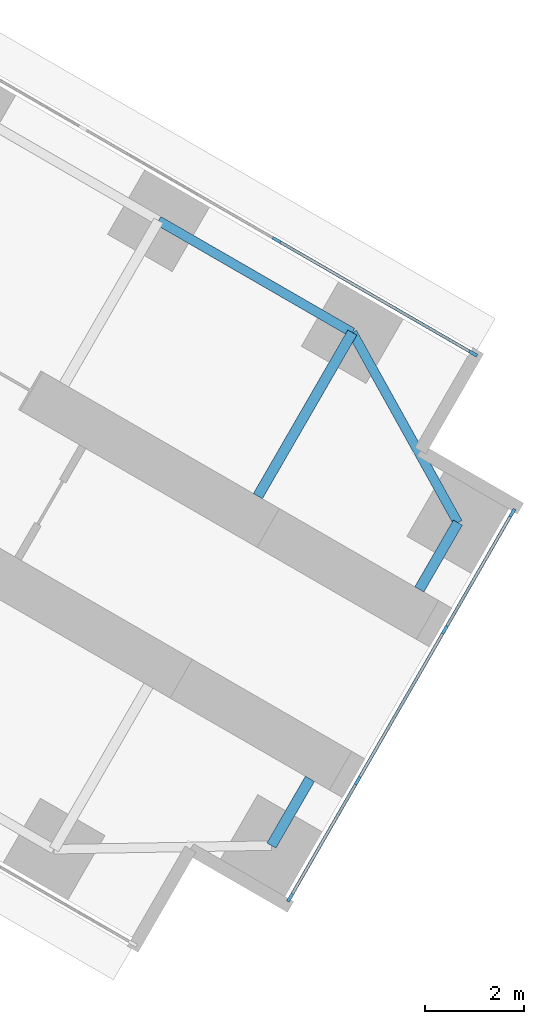
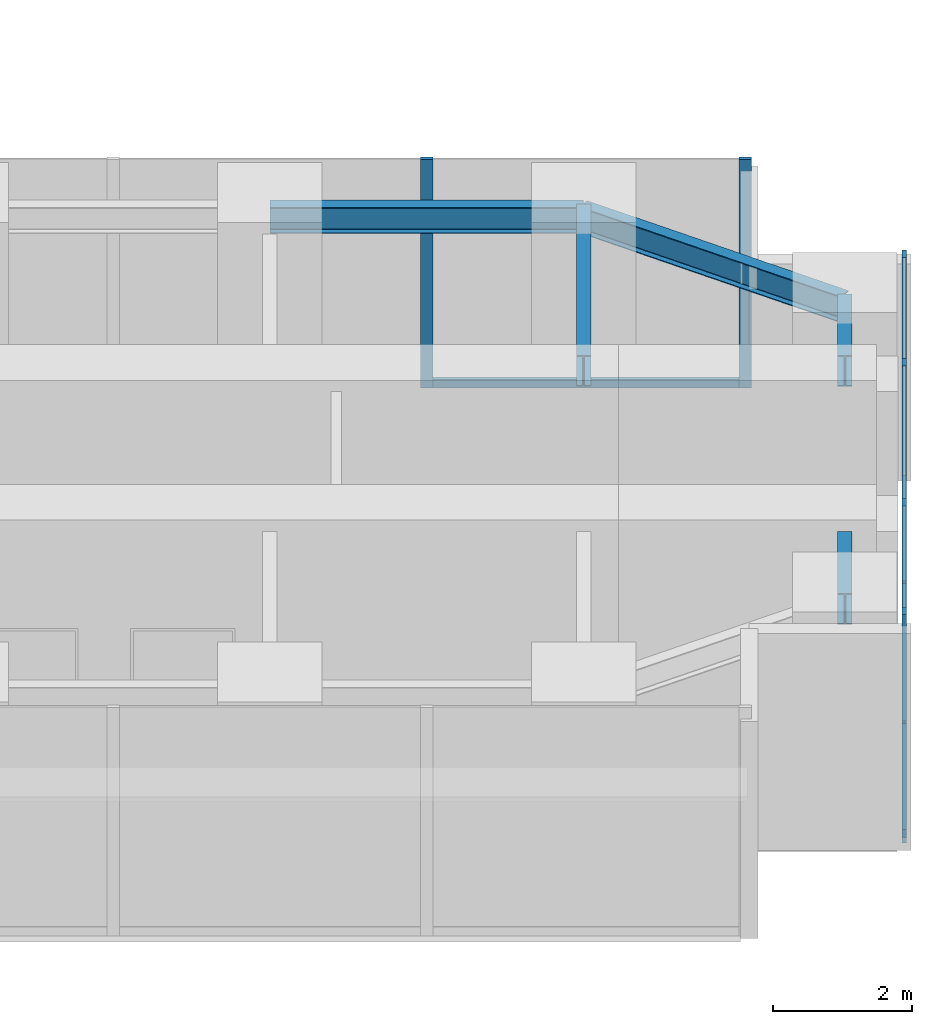
# One storey, part 12 of 23: 10 members, 5 beams, 2 elements without a shape of their own.
"""IFC4 building model written with IfcOpenShell, lengths in metres."""

from ifc_helpers import new_model, si_unit, direction, frame, origin, origin_2d, place, context, subcontext, project, spatial, rectangle, i_section, extrude, material, material_profile, profile_set, type_object, element, aggregate, save


model = new_model("IFC4")

# Units and contexts
model_context = context("Model", 3, precision=1e-05, world=origin(), true_north=direction((0.0, 1.0)))
body_context = subcontext(model_context, "Body", "Model", "MODEL_VIEW")
ifc_project = project(units=[si_unit("LENGTHUNIT", "METRE"), si_unit("AREAUNIT", "SQUARE_METRE"), si_unit("VOLUMEUNIT", "CUBIC_METRE"), si_unit("PLANEANGLEUNIT", "RADIAN"), si_unit("MASSUNIT", "GRAM", prefix="KILO")], contexts=[model_context])

# Site, building, storey
site_placement = place(None, origin())
site = spatial("IfcSite", under=ifc_project, at=site_placement, CompositionType="ELEMENT")
building_placement = place(site_placement, origin())
building = spatial("IfcBuilding", under=site, at=building_placement, Name="Upepo Twin Towers", CompositionType="ELEMENT")
storey_placement = place(building_placement, frame((0.0, 0.0, 28.5)))
storey = spatial("IfcBuildingStorey", under=building, at=storey_placement, Name="L06", CompositionType="ELEMENT", Elevation=28.5)

# Beams
ifc_material_1 = material(Name="Steel S355", Category="steel")
ifc_material_profile_1 = material_profile(ifc_material_1, i_section(OverallWidth=0.1904296875, OverallDepth=0.45703125, WebThickness=0.009033203125, FlangeThickness=0.014404296875, FilletRadius=0.01025390625, at=origin_2d()), Name="UB 457x191x74")
ifc_profile_set_1 = profile_set([ifc_material_profile_1], Name="Steel S355")
beam_type_1 = type_object("IfcBeamType", Name="Beam UB 457x191x74", PredefinedType="BEAM", material=ifc_profile_set_1)
beam_1_placement = place(storey_placement, frame((77.08837890625, -21.803955078125, 3.571533203125), z_axis=(0.866031096941, -0.499990139034, 0.0), x_axis=(0.499990139034, 0.866031096941, 0.0)))
element("IfcBeam", 1, at=beam_1_placement, inside=storey, type_object=beam_type_1, Name="T2 edge beam CL 18.0-22.5", PredefinedType="BEAM", context=body_context, shape_type="SweptSolid", body=[
    extrude(i_section(OverallWidth=0.1904296875, OverallDepth=0.45703125, WebThickness=0.009033203125, FlangeThickness=0.014404296875, FilletRadius=0.01025390625, at=origin_2d()), origin(), (0.0, 0.0, 1.0), 4.5),
])
beam_2_placement = place(storey_placement, frame((80.985595703125, -24.053955078125, 3.571533203125), z_axis=(0.485363242752, -0.874312600038, 0.0), x_axis=(0.874312600038, 0.485363242752, 0.0)))
element("IfcBeam", 2, at=beam_2_placement, inside=storey, type_object=beam_type_1, Name="T2 nose edge beam CL", PredefinedType="BEAM", context=body_context, shape_type="SweptSolid", body=[
    extrude(i_section(OverallWidth=0.1904296875, OverallDepth=0.45703125, WebThickness=0.009033203125, FlangeThickness=0.014404296875, FilletRadius=0.01025390625, at=origin_2d()), origin(), (0.0, 0.0, 1.0), 4.373046875),
])
ifc_material_2 = material(Name="Steel S355", Category="steel")
ifc_material_profile_2 = material_profile(ifc_material_2, i_section(OverallWidth=0.2099609375, OverallDepth=0.53662109375, WebThickness=0.0107421875, FlangeThickness=0.017333984375, FilletRadius=0.0126953125, at=origin_2d()), Name="UB 533x210x101")
ifc_profile_set_2 = profile_set([ifc_material_profile_2], Name="Steel S355")
beam_type_2 = type_object("IfcBeamType", Name="Beam UB 533x210x101", PredefinedType="BEAM", material=ifc_profile_set_2)
for number, where, z_axis, x_axis, name in (
    (3, (83.108154296875, -27.87744140625, 3.53173828125), (-0.499967891604, -0.866043940782, 0.0), (0.866043940782, -0.499967891604, 0.0), "T2 nose beam CL"),
    (4, (79.358154296875, -34.37255859375, 3.53173828125), (0.499967891604, 0.866043940782, 0.0), (-0.866043940782, 0.499967891604, 0.0), "T2 nose beam CR"),
):
    element("IfcBeam", number, at=place(storey_placement, frame(where, z_axis=z_axis, x_axis=x_axis)), inside=storey, type_object=beam_type_2, Name=name, PredefinedType="BEAM", context=body_context, shape_type="SweptSolid", body=[
        extrude(i_section(OverallWidth=0.2099609375, OverallDepth=0.53662109375, WebThickness=0.0107421875, FlangeThickness=0.017333984375, FilletRadius=0.0126953125, at=origin_2d()), origin(), (0.0, 0.0, 1.0), 1.5498046875),
    ])
ifc_material_3 = material(Name="Steel S355", Category="steel")
ifc_material_profile_3 = material_profile(ifc_material_3, i_section(OverallWidth=0.209228515625, OverallDepth=0.533203125, WebThickness=0.010009765625, FlangeThickness=0.015625, FilletRadius=0.0126953125, at=origin_2d()), Name="UB 533x210x92")
ifc_profile_set_3 = profile_set([ifc_material_profile_3], Name="Steel S355")
beam_type_3 = type_object("IfcBeamType", Name="Beam UB 533x210x92", PredefinedType="BEAM", material=ifc_profile_set_3)
beam_3_placement = place(storey_placement, frame((80.985595703125, -24.053955078125, 3.533447265625), z_axis=(-0.499994975061, -0.866028304915, 0.0), x_axis=(0.866028304915, -0.499994975061, 0.0)))
element("IfcBeam", 5, at=beam_3_placement, inside=storey, type_object=beam_type_3, Name="T2 girder CL at 22.5", PredefinedType="BEAM", context=body_context, shape_type="SweptSolid", body=[
    extrude(i_section(OverallWidth=0.209228515625, OverallDepth=0.533203125, WebThickness=0.010009765625, FlangeThickness=0.015625, FilletRadius=0.0126953125, at=origin_2d()), origin(), (0.0, 0.0, 1.0), 3.7998046875),
])

# Curtain wall, members
ifc_material_4 = material(Name="Aluminium and fritted glass", Category="aluminium")
curtain_wall_type = type_object("IfcCurtainWallType", Name="Tower curtain wall TW1, fritted glass", PredefinedType="NOTDEFINED", material=ifc_material_4)
curtain_wall_1_placement = place(storey_placement, origin())
curtain_wall_1 = element("IfcCurtainWall", 6, at=curtain_wall_1_placement, inside=storey, type_object=curtain_wall_type, Name="T2 L06 wing C flank L curtain wall", PredefinedType="NOTDEFINED")
ifc_material_5 = material(Name="Aluminium mullion", Category="aluminium")
ifc_material_profile_4 = material_profile(ifc_material_5, rectangle(XDim=0.06494140625, YDim=0.179931640625, at=origin_2d()), Name="MULLION 65x180")
ifc_profile_set_4 = profile_set([ifc_material_profile_4], Name="Aluminium mullion")
member_type_1 = type_object("IfcMemberType", Name="Mullion 65x180 TW1", PredefinedType="MULLION", material=ifc_profile_set_4)
member_1_placement = place(storey_placement, frame((79.4619140625, -22.192626953125, 0.0), z_axis=(0.0, 0.0, 1.0), x_axis=(0.500000024426, 0.866025389682, 0.0)))
member_1 = element("IfcMember", 7, at=member_1_placement, type_object=member_type_1, Name="T2 L06 wing C flank L curtain wall mullion 3", PredefinedType="MULLION", context=body_context, shape_type="SweptSolid", body=[
    extrude(rectangle(XDim=0.06494140625, YDim=0.179931640625, at=origin_2d()), origin(), (0.0, 0.0, 1.0), 4.0),
])
member_2_placement = place(storey_placement, frame((83.41748046875, -24.4765625, 0.0), z_axis=(0.0, 0.0, 1.0), x_axis=(0.500000024426, 0.866025389682, 0.0)))
member_2 = element("IfcMember", 8, at=member_2_placement, type_object=member_type_1, Name="T2 L06 wing C flank L curtain wall mullion 4", PredefinedType="MULLION", context=body_context, shape_type="SweptSolid", body=[
    extrude(rectangle(XDim=0.06494140625, YDim=0.179931640625, at=origin_2d()), origin(), (0.0, 0.0, 1.0), 4.0),
])

curtain_wall_2_placement = place(storey_placement, origin())
curtain_wall_2 = element("IfcCurtainWall", 9, at=curtain_wall_2_placement, inside=storey, type_object=curtain_wall_type, Name="T2 L06 wing C nose curtain wall", PredefinedType="NOTDEFINED")
member_3_placement = place(storey_placement, frame((79.735595703125, -35.4189453125, 0.0), z_axis=(0.0, 0.0, 1.0), x_axis=(-0.866025386174, 0.500000030502, 0.0)))
member_3 = element("IfcMember", 10, at=member_3_placement, type_object=member_type_1, Name="T2 L06 wing C nose curtain wall mullion 1", PredefinedType="MULLION", context=body_context, shape_type="SweptSolid", body=[
    extrude(rectangle(XDim=0.06494140625, YDim=0.179931640625, at=origin_2d()), origin(), (0.0, 0.0, 1.0), 4.0),
])
member_4_placement = place(storey_placement, frame((81.09423828125, -33.0654296875, 0.0), z_axis=(0.0, 0.0, 1.0), x_axis=(-0.866025386174, 0.500000030502, 0.0)))
member_4 = element("IfcMember", 11, at=member_4_placement, type_object=member_type_1, Name="T2 L06 wing C nose curtain wall mullion 2", PredefinedType="MULLION", context=body_context, shape_type="SweptSolid", body=[
    extrude(rectangle(XDim=0.06494140625, YDim=0.179931640625, at=origin_2d()), origin(), (0.0, 0.0, 1.0), 4.0),
])
member_5_placement = place(storey_placement, frame((82.84423828125, -30.034423828125, 0.0), z_axis=(0.0, 0.0, 1.0), x_axis=(-0.866025386174, 0.500000030502, 0.0)))
member_5 = element("IfcMember", 12, at=member_5_placement, type_object=member_type_1, Name="T2 L06 wing C nose curtain wall mullion 3", PredefinedType="MULLION", context=body_context, shape_type="SweptSolid", body=[
    extrude(rectangle(XDim=0.06494140625, YDim=0.179931640625, at=origin_2d()), origin(), (0.0, 0.0, 1.0), 4.0),
])
member_6_placement = place(storey_placement, frame((84.203125, -27.68115234375, 0.0), z_axis=(0.0, 0.0, 1.0), x_axis=(-0.866025386174, 0.500000030502, 0.0)))
member_6 = element("IfcMember", 13, at=member_6_placement, type_object=member_type_1, Name="T2 L06 wing C nose curtain wall mullion 4", PredefinedType="MULLION", context=body_context, shape_type="SweptSolid", body=[
    extrude(rectangle(XDim=0.06494140625, YDim=0.179931640625, at=origin_2d()), origin(), (0.0, 0.0, 1.0), 4.0),
])

# Member
ifc_material_6 = material(Name="Aluminium transom", Category="aluminium")
ifc_material_profile_5 = material_profile(ifc_material_6, rectangle(XDim=0.06494140625, YDim=0.14990234375, at=origin_2d()), Name="TRANSOM 65x150")
ifc_profile_set_5 = profile_set([ifc_material_profile_5], Name="Aluminium transom")
member_type_2 = type_object("IfcMemberType", Name="Transom 65x150 TW1", PredefinedType="USERDEFINED", material=ifc_profile_set_5)
member_7_placement = place(storey_placement, frame((79.490234375, -22.208984375, 0.074951171875), z_axis=(0.866022143554, -0.500005646842, 0.0), x_axis=(0.500005646842, 0.866022143554, 0.0)))
member_7 = element("IfcMember", 14, at=member_7_placement, type_object=member_type_2, Name="T2 L06 wing C flank L curtain wall transom 3", ObjectType="TRANSOM", PredefinedType="USERDEFINED", context=body_context, shape_type="SweptSolid", body=[
    extrude(rectangle(XDim=0.06494140625, YDim=0.14990234375, at=origin_2d()), origin(), (0.0, 0.0, 1.0), 4.50244140625),
])

aggregate(curtain_wall_1, [member_1, member_2, member_7])

member_8_placement = place(storey_placement, frame((79.751708984375, -35.390869140625, 0.074951171875), z_axis=(0.500049101008, 0.865997053448, 0.0), x_axis=(-0.865997053448, 0.500049101008, 0.0)))
member_8 = element("IfcMember", 15, at=member_8_placement, type_object=member_type_2, Name="T2 L06 wing C nose curtain wall transom 1", ObjectType="TRANSOM", PredefinedType="USERDEFINED", context=body_context, shape_type="SweptSolid", body=[
    extrude(rectangle(XDim=0.06494140625, YDim=0.14990234375, at=origin_2d()), origin(), (0.0, 0.0, 1.0), 2.652587890625),
])

member_9_placement = place(storey_placement, frame((81.110595703125, -33.037353515625, 0.074951171875), z_axis=(0.499999305434, 0.866025804792, 0.0), x_axis=(-0.866025804792, 0.499999305434, 0.0)))
member_9 = element("IfcMember", 16, at=member_9_placement, type_object=member_type_2, Name="T2 L06 wing C nose curtain wall transom 2", ObjectType="TRANSOM", PredefinedType="USERDEFINED", context=body_context, shape_type="SweptSolid", body=[
    extrude(rectangle(XDim=0.06494140625, YDim=0.14990234375, at=origin_2d()), origin(), (0.0, 0.0, 1.0), 3.43505859375),
])

member_10_placement = place(storey_placement, frame((82.860595703125, -30.00634765625, 0.074951171875), z_axis=(0.499980071345, 0.866036909293, 0.0), x_axis=(-0.866036909293, 0.499980071345, 0.0)))
member_10 = element("IfcMember", 17, at=member_10_placement, type_object=member_type_2, Name="T2 L06 wing C nose curtain wall transom 3", ObjectType="TRANSOM", PredefinedType="USERDEFINED", context=body_context, shape_type="SweptSolid", body=[
    extrude(rectangle(XDim=0.06494140625, YDim=0.14990234375, at=origin_2d()), origin(), (0.0, 0.0, 1.0), 2.65234375),
])

aggregate(curtain_wall_2, [member_3, member_4, member_5, member_6, member_8, member_9, member_10])

save(model, "model.ifc")
